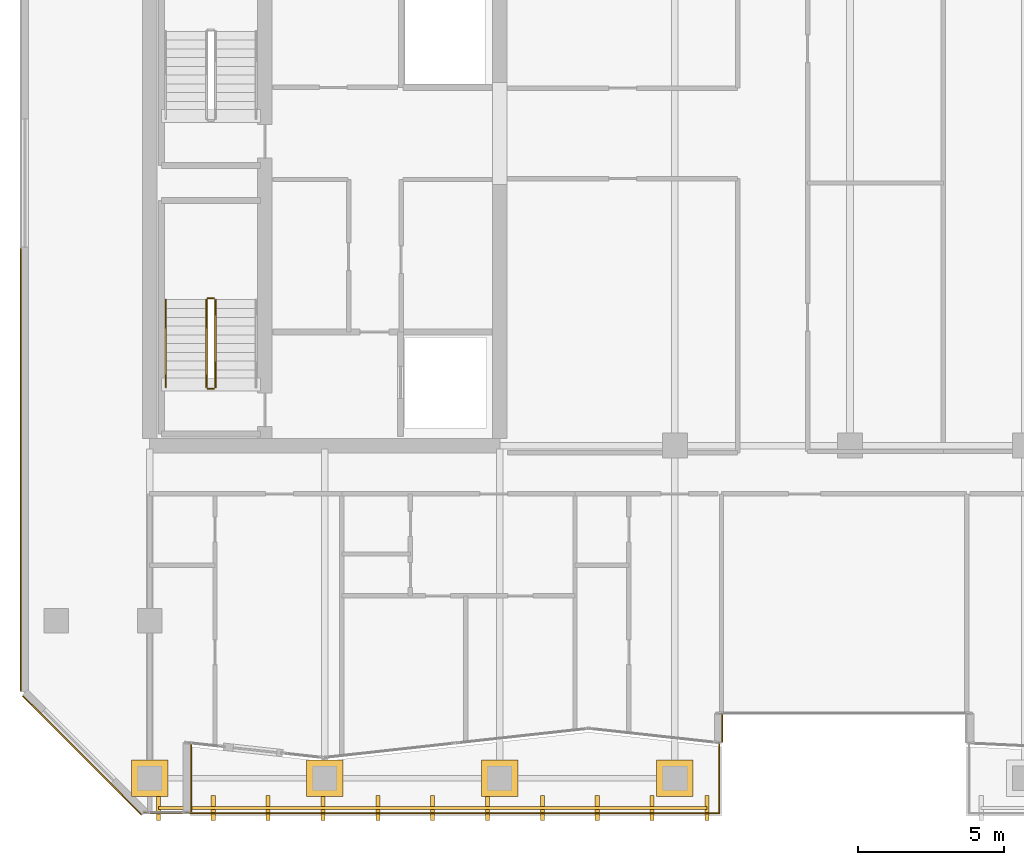
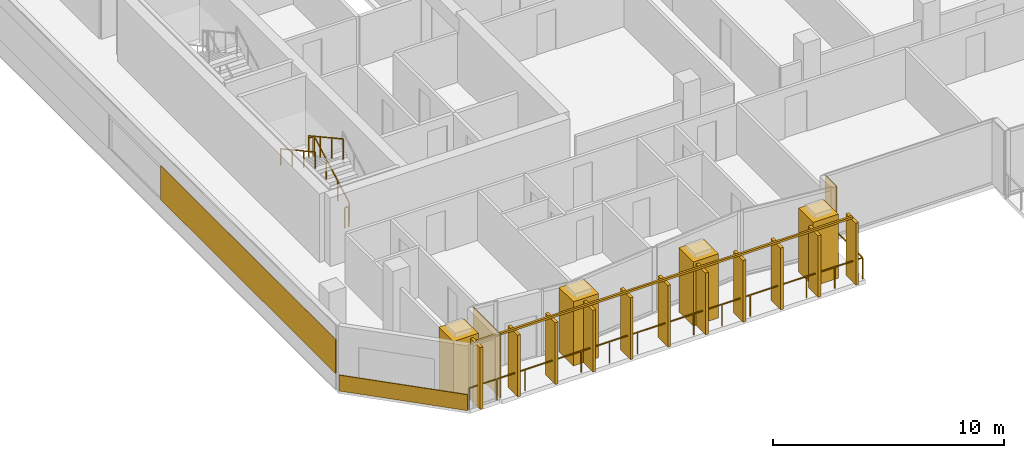
# One storey, part 24 of 28: 8 coverings, 7 railings.
"""IFC4 building model written with IfcOpenShell, lengths in metres."""

from ifc_helpers import new_model, si_unit, direction, frame, origin, origin_2d, place, context, subcontext, project, spatial, rectangle, extrude, material, layer, layer_set, type_object, element, save


model = new_model("IFC4")

# Units and contexts
model_context = context("Model", 3, precision=1e-05, world=origin(), true_north=direction((0.0, 1.0)))
body_context = subcontext(model_context, "Body", "Model", "MODEL_VIEW")
ifc_project = project(units=[si_unit("LENGTHUNIT", "METRE"), si_unit("AREAUNIT", "SQUARE_METRE"), si_unit("VOLUMEUNIT", "CUBIC_METRE"), si_unit("PLANEANGLEUNIT", "RADIAN"), si_unit("MASSUNIT", "GRAM", prefix="KILO")], contexts=[model_context])

# Site, building, storey
site_placement = place(None, origin())
site = spatial("IfcSite", under=ifc_project, at=site_placement, CompositionType="ELEMENT")
building_placement = place(site_placement, origin())
building = spatial("IfcBuilding", under=site, at=building_placement, Name="Tanjung Sevakor Pilgrim Tower", CompositionType="ELEMENT")
storey_placement = place(building_placement, frame((0.0, 0.0, 158.39990234375)))
storey = spatial("IfcBuildingStorey", under=building, at=storey_placement, Name="L44", CompositionType="ELEMENT", Elevation=158.39990234375)

# Coverings
ifc_material_1 = material(Name="Reconstructed Limestone Cladding", Category="masonry")
ifc_layer = layer(ifc_material_1, 0.044921875)
ifc_layer_set = layer_set([ifc_layer], Name="COV-CLAD-LIMESTONE")
covering_type = type_object("IfcCoveringType", Name="COV-CLAD-LIMESTONE", PredefinedType="CLADDING", material=ifc_layer_set)
covering_1_placement = place(storey_placement, frame((25.422607421875, 13.22216796875, 0.02001953125), z_axis=(0.0, 0.0, 1.0), x_axis=(0.0, 1.0, 0.0)))
element("IfcCovering", 1, at=covering_1_placement, inside=storey, type_object=covering_type, Name="L44 Warm Limestone Wall Cladding EW-L44-MAIN-2", PredefinedType="CLADDING", context=body_context, shape_type="SweptSolid", body=[
    extrude(rectangle(XDim=2.3544921875, YDim=0.044921875, at=origin_2d()), origin(), (0.0, 0.0, 1.0), 3.3701171875),
])
covering_2_placement = place(storey_placement, frame((43.62255859375, 14.92236328125, 0.02001953125), z_axis=(0.0, 0.0, 1.0), x_axis=(0.0, 1.0, 0.0)))
element("IfcCovering", 2, at=covering_2_placement, inside=storey, type_object=covering_type, Name="L44 Warm Limestone Wall Cladding EW-L44-MAIN-7", PredefinedType="CLADDING", context=body_context, shape_type="SweptSolid", body=[
    extrude(rectangle(XDim=0.965576171875, YDim=0.044921875, at=origin_2d()), origin(), (0.0, 0.0, 1.0), 3.3701171875),
])
covering_3_placement = place(storey_placement, frame((19.577392578125, 23.77099609375, 0.85009765625), z_axis=(0.0, 0.0, 1.0), x_axis=(0.0, -1.0, 0.0)))
element("IfcCovering", 3, at=covering_3_placement, inside=storey, type_object=covering_type, Name="L44 Warm Limestone Pier Panel EW-L44-MAIN-35-2", PredefinedType="CLADDING", context=body_context, shape_type="SweptSolid", body=[
    extrude(rectangle(XDim=15.158203125, YDim=0.044921875, at=origin_2d()), origin(), (0.0, 0.0, 1.0), 1.81005859375),
])
covering_4_placement = place(storey_placement, frame((21.68408203125, 13.984130859375, 0.01025390625), z_axis=(0.0, 0.0, 1.0), x_axis=(0.707106781187, -0.707106781187, 0.0)))
element("IfcCovering", 4, at=covering_4_placement, inside=storey, type_object=covering_type, Name="L44 Warm Limestone Sill Spandrel EW-CHM-L44-MAIN-35-1", PredefinedType="CLADDING", context=body_context, shape_type="SweptSolid", body=[
    extrude(rectangle(XDim=5.756103515625, YDim=0.044921875, at=origin_2d()), origin(), (0.0, 0.0, 1.0), 0.840087890625),
])
for number, where, z_axis, x_axis, name in (
    (5, (24.0, 13.199951171875, 0.01025390625), (0.0, 0.0, 1.0), (1.0, 0.0, 0.0), "L44 Colonnade Pier Limestone Casing 21"),
    (6, (30.0, 13.199951171875, 0.01025390625), (0.0, 0.0, 1.0), (1.0, 0.0, 0.0), "L44 Colonnade Pier Limestone Casing 23"),
    (7, (36.0, 13.199951171875, 0.01025390625), (0.0, 0.0, 1.0), (1.0, 0.0, 0.0), "L44 Colonnade Pier Limestone Casing 25"),
    (8, (42.0, 13.199951171875, 0.01025390625), (0.0, 0.0, 1.0), (1.0, 0.0, 0.0), "L44 Colonnade Pier Limestone Casing 27"),
):
    element("IfcCovering", number, at=place(storey_placement, frame(where, z_axis=z_axis, x_axis=x_axis)), inside=storey, type_object=covering_type, Name=name, PredefinedType="CLADDING", context=body_context, shape_type="SweptSolid", body=[
        extrude(rectangle(XDim=1.260009765625, YDim=1.260009765625, at=origin_2d()), origin(), (0.0, 0.0, 1.0), 3.389892578125),
    ])

# Railings
ifc_material_2 = material(Name="Steel S355J2", Category="steel")
railing_type_1 = type_object("IfcRailingType", Name="RL-EXT-GUARD", PredefinedType="GUARDRAIL", material=ifc_material_2)
railing_1_placement = place(storey_placement, frame((23.800048828125, 12.0, 0.0)))
element("IfcRailing", 9, at=railing_1_placement, inside=storey, type_object=railing_type_1, Name="L44 S-Curve Gap Guardrail SW", PredefinedType="GUARDRAIL", context=body_context, shape_type="SweptSolid", body=[
    extrude(rectangle(XDim=0.0479, YDim=0.0479), frame((0.0, 0.0, 1.1259765625), z_axis=(1.0, 0.0, 0.0), x_axis=(0.0, 1.0, 0.0)), (0.0, 0.0, 1.0), 19.719970703125),
    extrude(rectangle(XDim=0.0479, YDim=0.0479), frame((19.719970703125, 0.0, 1.1259765625), z_axis=(0.0, 1.0, 0.0), x_axis=(-1.0, 0.0, 0.0)), (0.0, 0.0, 1.0), 3.300048828125),
    extrude(rectangle(XDim=0.042, YDim=0.042), origin(), (0.0, 0.0, 1.0), 1.101806640625),
    extrude(rectangle(XDim=0.042, YDim=0.042), frame((1.40869140625, 0.0, 0.0)), (0.0, 0.0, 1.0), 1.101806640625),
    extrude(rectangle(XDim=0.042, YDim=0.042), frame((2.817138671875, 0.0, 0.0)), (0.0, 0.0, 1.0), 1.101806640625),
    extrude(rectangle(XDim=0.042, YDim=0.042), frame((4.2255859375, 0.0, 0.0)), (0.0, 0.0, 1.0), 1.101806640625),
    extrude(rectangle(XDim=0.042, YDim=0.042), frame((5.63427734375, 0.0, 0.0)), (0.0, 0.0, 1.0), 1.101806640625),
    extrude(rectangle(XDim=0.042, YDim=0.042), frame((7.04296875, 0.0, 0.0)), (0.0, 0.0, 1.0), 1.101806640625),
    extrude(rectangle(XDim=0.042, YDim=0.042), frame((8.451416015625, 0.0, 0.0)), (0.0, 0.0, 1.0), 1.101806640625),
    extrude(rectangle(XDim=0.042, YDim=0.042), frame((9.85986328125, 0.0, 0.0)), (0.0, 0.0, 1.0), 1.101806640625),
    extrude(rectangle(XDim=0.042, YDim=0.042), frame((11.2685546875, 0.0, 0.0)), (0.0, 0.0, 1.0), 1.101806640625),
    extrude(rectangle(XDim=0.042, YDim=0.042), frame((12.67724609375, 0.0, 0.0)), (0.0, 0.0, 1.0), 1.101806640625),
    extrude(rectangle(XDim=0.042, YDim=0.042), frame((14.085693359375, 0.0, 0.0)), (0.0, 0.0, 1.0), 1.101806640625),
    extrude(rectangle(XDim=0.042, YDim=0.042), frame((15.494140625, 0.0, 0.0)), (0.0, 0.0, 1.0), 1.101806640625),
    extrude(rectangle(XDim=0.042, YDim=0.042), frame((16.90283203125, 0.0, 0.0)), (0.0, 0.0, 1.0), 1.101806640625),
    extrude(rectangle(XDim=0.042, YDim=0.042), frame((18.3115234375, 0.0, 0.0)), (0.0, 0.0, 1.0), 1.101806640625),
    extrude(rectangle(XDim=0.042, YDim=0.042), frame((19.719970703125, 0.0, 0.0)), (0.0, 0.0, 1.0), 1.101806640625),
    extrude(rectangle(XDim=0.042, YDim=0.042), frame((19.719970703125, 1.10009765625, 0.0)), (0.0, 0.0, 1.0), 1.101806640625),
    extrude(rectangle(XDim=0.042, YDim=0.042), frame((19.719970703125, 2.199951171875, 0.0)), (0.0, 0.0, 1.0), 1.101806640625),
    extrude(rectangle(XDim=0.042, YDim=0.042), frame((19.719970703125, 3.300048828125, 0.0)), (0.0, 0.0, 1.0), 1.101806640625),
])
ifc_material_3 = material(Name="Anodised Bronze Aluminium 6063-T6", Category="aluminium")
railing_type_2 = type_object("IfcRailingType", Name="RL-FIN-SCREEN", PredefinedType="BALUSTRADE", material=ifc_material_3)
railing_2_placement = place(storey_placement, frame((24.300048828125, 12.179931640625, 0.0)))
element("IfcRailing", 10, at=railing_2_placement, inside=storey, type_object=railing_type_2, Name="L44 Vertical Bronze-Gold Solar Fin Screen FN-SCGAP-L44-SW-1", PredefinedType="BALUSTRADE", context=body_context, shape_type="SweptSolid", body=[
    extrude(rectangle(XDim=0.105, YDim=0.105), frame((0.0, 0.0, 3.317626953125), z_axis=(1.0, 0.0, 0.0), x_axis=(0.0, 1.0, 0.0)), (0.0, 0.0, 1.0), 18.800048828125),
    extrude(rectangle(XDim=0.14, YDim=0.85), origin(), (0.0, 0.0, 1.0), 3.26513671875),
    extrude(rectangle(XDim=0.14, YDim=0.85), frame((1.8798828125, 0.0, 0.0)), (0.0, 0.0, 1.0), 3.26513671875),
    extrude(rectangle(XDim=0.14, YDim=0.85), frame((3.760009765625, 0.0, 0.0)), (0.0, 0.0, 1.0), 3.26513671875),
    extrude(rectangle(XDim=0.14, YDim=0.85), frame((5.64013671875, 0.0, 0.0)), (0.0, 0.0, 1.0), 3.26513671875),
    extrude(rectangle(XDim=0.14, YDim=0.85), frame((7.52001953125, 0.0, 0.0)), (0.0, 0.0, 1.0), 3.26513671875),
    extrude(rectangle(XDim=0.14, YDim=0.85), frame((9.39990234375, 0.0, 0.0)), (0.0, 0.0, 1.0), 3.26513671875),
    extrude(rectangle(XDim=0.14, YDim=0.85), frame((11.280029296875, 0.0, 0.0)), (0.0, 0.0, 1.0), 3.26513671875),
    extrude(rectangle(XDim=0.14, YDim=0.85), frame((13.16015625, 0.0, 0.0)), (0.0, 0.0, 1.0), 3.26513671875),
    extrude(rectangle(XDim=0.14, YDim=0.85), frame((15.0400390625, 0.0, 0.0)), (0.0, 0.0, 1.0), 3.26513671875),
    extrude(rectangle(XDim=0.14, YDim=0.85), frame((16.919921875, 0.0, 0.0)), (0.0, 0.0, 1.0), 3.26513671875),
    extrude(rectangle(XDim=0.14, YDim=0.85), frame((18.800048828125, 0.0, 0.0)), (0.0, 0.0, 1.0), 3.26513671875),
])
ifc_material_4 = material(Name="Steel S355J2", Category="steel")
railing_type_3 = type_object("IfcRailingType", Name="RL-STAIR-GUARD", PredefinedType="GUARDRAIL", material=ifc_material_4)
railing_3_placement = place(storey_placement, frame((26.25, 26.60009765625, 0.1650390625)))
element("IfcRailing", 11, at=railing_3_placement, inside=storey, type_object=railing_type_3, Name="L44 TS-W1 stair guard 1", PredefinedType="GUARDRAIL", context=body_context, shape_type="SweptSolid", body=[
    extrude(rectangle(XDim=0.0479, YDim=0.0479), frame((0.0, 0.0, 1.076171875), z_axis=(0.0, 0.876197842262, 0.481951596342), x_axis=(-1.0, 0.0, 0.0)), (0.0, 0.0, 1.0), 3.423828125),
    extrude(rectangle(XDim=0.042, YDim=0.042), origin(), (0.0, 0.0, 1.0), 1.052001953125),
    extrude(rectangle(XDim=0.042, YDim=0.042), frame((0.0, 1.0, 0.550048828125)), (0.0, 0.0, 1.0), 1.052001953125),
    extrude(rectangle(XDim=0.042, YDim=0.042), frame((0.0, 2.0, 1.10009765625)), (0.0, 0.0, 1.0), 1.052001953125),
    extrude(rectangle(XDim=0.042, YDim=0.042), frame((0.0, 3.0, 1.650146484375)), (0.0, 0.0, 1.0), 1.052001953125),
])
railing_4_placement = place(storey_placement, frame((26.199951171875, 29.64990234375, 1.815185546875)))
element("IfcRailing", 12, at=railing_4_placement, inside=storey, type_object=railing_type_3, Name="L44 TS-W1 stair guard 2", PredefinedType="GUARDRAIL", context=body_context, shape_type="SweptSolid", body=[
    extrude(rectangle(XDim=0.0479, YDim=0.0479), frame((0.0, 0.0, 1.076171875), z_axis=(-1.0, 0.0, 0.0), x_axis=(0.0, -1.0, 0.0)), (0.0, 0.0, 1.0), 0.199951171875),
    extrude(rectangle(XDim=0.042, YDim=0.042), origin(), (0.0, 0.0, 1.0), 1.052001953125),
    extrude(rectangle(XDim=0.042, YDim=0.042), frame((-0.199951171875, 0.0, 0.0)), (0.0, 0.0, 1.0), 1.052001953125),
])
railing_5_placement = place(storey_placement, frame((25.949951171875, 29.60009765625, 1.97998046875)))
element("IfcRailing", 13, at=railing_5_placement, inside=storey, type_object=railing_type_3, Name="L44 TS-W1 stair guard 3", PredefinedType="GUARDRAIL", context=body_context, shape_type="SweptSolid", body=[
    extrude(rectangle(XDim=0.0479, YDim=0.0479), frame((0.0, 0.0, 1.076171875), z_axis=(0.0, -0.876197842262, 0.481951596342), x_axis=(1.0, 0.0, 0.0)), (0.0, 0.0, 1.0), 3.423828125),
    extrude(rectangle(XDim=0.042, YDim=0.042), origin(), (0.0, 0.0, 1.0), 1.052001953125),
    extrude(rectangle(XDim=0.042, YDim=0.042), frame((0.0, -1.0, 0.550048828125)), (0.0, 0.0, 1.0), 1.052001953125),
    extrude(rectangle(XDim=0.042, YDim=0.042), frame((0.0, -2.0, 1.10009765625)), (0.0, 0.0, 1.0), 1.052001953125),
    extrude(rectangle(XDim=0.042, YDim=0.042), frame((0.0, -3.0, 1.650146484375)), (0.0, 0.0, 1.0), 1.052001953125),
])
railing_6_placement = place(storey_placement, frame((26.199951171875, 26.550048828125, 0.0)))
element("IfcRailing", 14, at=railing_6_placement, inside=storey, type_object=railing_type_3, Name="L44 TS-W1 stair guard 4", PredefinedType="GUARDRAIL", context=body_context, shape_type="SweptSolid", body=[
    extrude(rectangle(XDim=0.0479, YDim=0.0479), frame((0.0, 0.0, 1.076171875), z_axis=(-1.0, 0.0, 0.0), x_axis=(0.0, -1.0, 0.0)), (0.0, 0.0, 1.0), 0.199951171875),
    extrude(rectangle(XDim=0.042, YDim=0.042), origin(), (0.0, 0.0, 1.0), 1.052001953125),
    extrude(rectangle(XDim=0.042, YDim=0.042), frame((-0.199951171875, 0.0, 0.0)), (0.0, 0.0, 1.0), 1.052001953125),
])
ifc_material_5 = material(Name="Steel S355J2", Category="steel")
railing_type_4 = type_object("IfcRailingType", Name="RL-STAIR-HAND", PredefinedType="HANDRAIL", material=ifc_material_5)
railing_7_placement = place(storey_placement, frame((24.550048828125, 29.60009765625, 1.97998046875)))
element("IfcRailing", 15, at=railing_7_placement, inside=storey, type_object=railing_type_4, Name="L44 TS-W1 stair handrail 2", PredefinedType="HANDRAIL", context=body_context, shape_type="SweptSolid", body=[
    extrude(rectangle(XDim=0.0479, YDim=0.0479), frame((0.0, 0.0, 0.8759765625), z_axis=(0.0, -0.876197842262, 0.481951596342), x_axis=(1.0, 0.0, 0.0)), (0.0, 0.0, 1.0), 3.423828125),
    extrude(rectangle(XDim=0.042, YDim=0.042), origin(), (0.0, 0.0, 1.0), 0.851806640625),
    extrude(rectangle(XDim=0.042, YDim=0.042), frame((0.0, -1.0, 0.550048828125)), (0.0, 0.0, 1.0), 0.851806640625),
    extrude(rectangle(XDim=0.042, YDim=0.042), frame((0.0, -2.0, 1.10009765625)), (0.0, 0.0, 1.0), 0.851806640625),
    extrude(rectangle(XDim=0.042, YDim=0.042), frame((0.0, -3.0, 1.650146484375)), (0.0, 0.0, 1.0), 0.851806640625),
])

save(model, "model.ifc")
